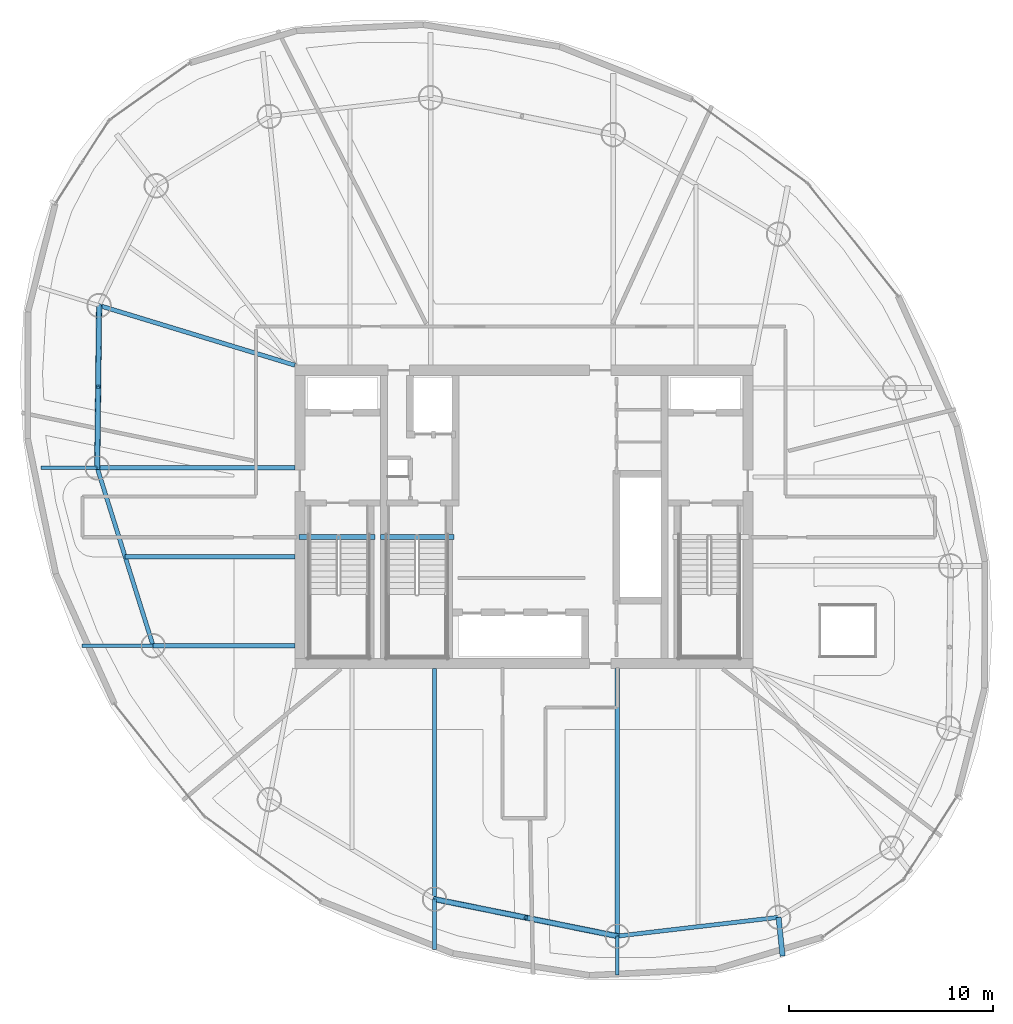
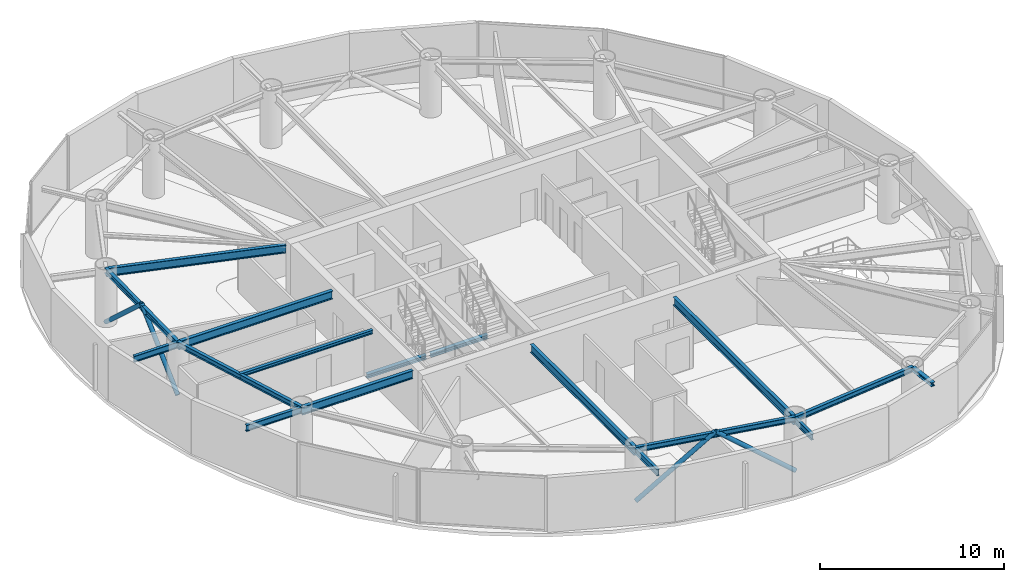
# One storey, part 4 of 18: 17 beams, 4 members.
"""IFC4 building model written with IfcOpenShell, lengths in metres."""

from ifc_helpers import new_model, si_unit, direction, frame, origin, origin_2d, place, context, subcontext, project, spatial, hollow_circle, i_section, extrude, material, material_profile, profile_set, type_object, element, save


model = new_model("IFC4")

# Units and contexts
model_context = context("Model", 3, precision=1e-05, world=origin(), true_north=direction((0.0, 1.0)))
body_context = subcontext(model_context, "Body", "Model", "MODEL_VIEW")
ifc_project = project(units=[si_unit("LENGTHUNIT", "METRE"), si_unit("AREAUNIT", "SQUARE_METRE"), si_unit("VOLUMEUNIT", "CUBIC_METRE"), si_unit("PLANEANGLEUNIT", "RADIAN"), si_unit("MASSUNIT", "GRAM", prefix="KILO")], contexts=[model_context])

# Site, building, storey
site_placement = place(None, origin())
site = spatial("IfcSite", under=ifc_project, at=site_placement, CompositionType="ELEMENT")
building_placement = place(site_placement, origin())
building = spatial("IfcBuilding", under=site, at=building_placement, Name="Bramvorn Convention Spire", CompositionType="ELEMENT")
storey_placement = place(building_placement, frame((0.0, 0.0, 205.85009765625)))
storey = spatial("IfcBuildingStorey", under=building, at=storey_placement, Name="L52", CompositionType="ELEMENT", Elevation=205.85009765625)

# Beams
ifc_material = material(Name="Steel CSA G40.21 Grade 350 (350W)", Category="steel")
ifc_material_profile_1 = material_profile(ifc_material, i_section(OverallWidth=0.201904296875, OverallDepth=0.2470703125, WebThickness=0.00732421875, FlangeThickness=0.010986328125, FilletRadius=0.011962890625, at=origin_2d()))
ifc_profile_set_1 = profile_set([ifc_material_profile_1], Name="Steel CSA G40.21 Grade 350 (350W) - W250X49")
beam_type_1 = type_object("IfcBeamType", Name="BM-W250X49", PredefinedType="JOIST", material=ifc_profile_set_1)
beam_1_placement = place(storey_placement, frame((26.75, 24.039794921875, 3.496337890625), z_axis=(-1.0, 0.0, 0.0), x_axis=(0.0, -1.0, 0.0)))
element("IfcBeam", 1, at=beam_1_placement, inside=storey, type_object=beam_type_1, Name="L52 composite floor joist 11", PredefinedType="JOIST", context=body_context, shape_type="SweptSolid", body=[
    extrude(i_section(OverallWidth=0.201904296875, OverallDepth=0.2470703125, WebThickness=0.00732421875, FlangeThickness=0.010986328125, FilletRadius=0.011962890625, at=origin_2d()), origin(), (0.0, 0.0, 1.0), 8.33251953125),
])
ifc_material_profile_2 = material_profile(ifc_material, i_section(OverallWidth=0.25390625, OverallDepth=0.2529296875, WebThickness=0.008544921875, FlangeThickness=0.01416015625, FilletRadius=0.011962890625, at=origin_2d()))
ifc_profile_set_2 = profile_set([ifc_material_profile_2], Name="Steel CSA G40.21 Grade 350 (350W) - W250X73")
beam_type_2 = type_object("IfcBeamType", Name="BM-W250X73", PredefinedType="BEAM", material=ifc_profile_set_2)
beam_2_placement = place(storey_placement, frame((50.50439453125, 6.336181640625, 3.45849609375), z_axis=(0.102268298362, -0.994756852276, 0.0), x_axis=(0.994756852276, 0.102268298362, 0.0)))
element("IfcBeam", 2, at=beam_2_placement, inside=storey, type_object=beam_type_2, Name="L52 slab-edge cantilever tip beam MC16", PredefinedType="BEAM", context=body_context, shape_type="SweptSolid", body=[
    extrude(i_section(OverallWidth=0.25390625, OverallDepth=0.2529296875, WebThickness=0.008544921875, FlangeThickness=0.01416015625, FilletRadius=0.011962890625, at=origin_2d()), origin(), (0.0, 0.0, 1.0), 1.91455078125),
])
beam_3_placement = place(storey_placement, frame((26.949951171875, 25.010009765625, -0.126708984375), z_axis=(1.0, 0.0, 0.0), x_axis=(0.0, 1.0, 0.0)))
element("IfcBeam", 3, at=beam_3_placement, inside=storey, type_object=beam_type_2, Name="L52 ST1 stair arrival header beam", PredefinedType="BEAM", context=body_context, shape_type="SweptSolid", body=[
    extrude(i_section(OverallWidth=0.25390625, OverallDepth=0.2529296875, WebThickness=0.008544921875, FlangeThickness=0.01416015625, FilletRadius=0.011962890625, at=origin_2d()), origin(), (0.0, 0.0, 1.0), 3.739990234375),
])
beam_4_placement = place(storey_placement, frame((30.949951171875, 25.010009765625, -0.126708984375), z_axis=(1.0, 0.0, 0.0), x_axis=(0.0, 1.0, 0.0)))
element("IfcBeam", 4, at=beam_4_placement, inside=storey, type_object=beam_type_2, Name="L52 ST3 stair arrival header beam", PredefinedType="BEAM", context=body_context, shape_type="SweptSolid", body=[
    extrude(i_section(OverallWidth=0.25390625, OverallDepth=0.2529296875, WebThickness=0.008544921875, FlangeThickness=0.01416015625, FilletRadius=0.011962890625, at=origin_2d()), origin(), (0.0, 0.0, 1.0), 3.610107421875),
])
ifc_material_profile_3 = material_profile(ifc_material, i_section(OverallWidth=0.205078125, OverallDepth=0.35400390625, WebThickness=0.009521484375, FlangeThickness=0.016845703125, FilletRadius=0.014892578125, at=origin_2d()))
ifc_profile_set_3 = profile_set([ifc_material_profile_3], Name="Steel CSA G40.21 Grade 350 (350W) - W360X79")
beam_type_3 = type_object("IfcBeamType", Name="BM-W360X79", PredefinedType="JOIST", material=ifc_profile_set_3)
beam_5_placement = place(storey_placement, frame((17.136962890625, 36.380615234375, 3.44287109375), z_axis=(-0.011480475367, -0.999934097171, 0.0), x_axis=(0.999934097171, -0.011480475367, 0.0)))
element("IfcBeam", 5, at=beam_5_placement, inside=storey, type_object=beam_type_3, Name="L52 mega-column ring beam 10", PredefinedType="JOIST", context=body_context, shape_type="SweptSolid", body=[
    extrude(i_section(OverallWidth=0.205078125, OverallDepth=0.35400390625, WebThickness=0.009521484375, FlangeThickness=0.016845703125, FilletRadius=0.014892578125, at=origin_2d()), origin(), (0.0, 0.0, 1.0), 7.974609375),
])
for number, where, z_axis, x_axis, name in (
    (6, (17.04541015625, 28.406494140625, 3.44287109375), (0.299747542929, -0.954018558786, 0.0), (0.954018558786, 0.299747542929, 0.0), "L52 mega-column ring beam 11"),
    (7, (33.61083984375, 7.227783203125, 3.44287109375), (0.980124701676, -0.198382381187, 0.0), (0.198382381187, 0.980124701676, 0.0), "L52 mega-column ring beam 14"),
):
    element("IfcBeam", number, at=place(storey_placement, frame(where, z_axis=z_axis, x_axis=x_axis)), inside=storey, type_object=beam_type_3, Name=name, PredefinedType="JOIST", context=body_context, shape_type="SweptSolid", body=[
        extrude(i_section(OverallWidth=0.205078125, OverallDepth=0.35400390625, WebThickness=0.009521484375, FlangeThickness=0.016845703125, FilletRadius=0.014892578125, at=origin_2d()), origin(), (0.0, 0.0, 1.0), 9.15478515625),
    ])
beam_6_placement = place(storey_placement, frame((42.583740234375, 5.41162109375, 3.44287109375), z_axis=(0.993256148339, 0.115940604561, 0.0), x_axis=(-0.115940604561, 0.993256148339, 0.0)))
element("IfcBeam", 8, at=beam_6_placement, inside=storey, type_object=beam_type_3, Name="L52 mega-column ring beam 15", PredefinedType="JOIST", context=body_context, shape_type="SweptSolid", body=[
    extrude(i_section(OverallWidth=0.205078125, OverallDepth=0.35400390625, WebThickness=0.009521484375, FlangeThickness=0.016845703125, FilletRadius=0.014892578125, at=origin_2d()), origin(), (0.0, 0.0, 1.0), 7.974365234375),
])
ifc_material_profile_4 = material_profile(ifc_material, i_section(OverallWidth=0.180908203125, OverallDepth=0.4169921875, WebThickness=0.010986328125, FlangeThickness=0.018310546875, FilletRadius=0.01611328125, at=origin_2d()))
ifc_profile_set_4 = profile_set([ifc_material_profile_4], Name="Steel CSA G40.21 Grade 350 (350W) - W410X85")
beam_type_4 = type_object("IfcBeamType", Name="BM-W410X85", PredefinedType="JOIST", material=ifc_profile_set_4)
beam_7_placement = place(storey_placement, frame((17.04541015625, 28.406494140625, 3.37646484375), z_axis=(-1.0, 0.0, 0.0), x_axis=(0.0, -1.0, 0.0)))
element("IfcBeam", 9, at=beam_7_placement, inside=storey, type_object=beam_type_4, Name="L52 Sky-Garden cantilever tip girder MC11", PredefinedType="JOIST", context=body_context, shape_type="SweptSolid", body=[
    extrude(i_section(OverallWidth=0.180908203125, OverallDepth=0.4169921875, WebThickness=0.010986328125, FlangeThickness=0.018310546875, FilletRadius=0.01611328125, at=origin_2d()), origin(), (0.0, 0.0, 1.0), 2.766845703125),
])
beam_8_placement = place(storey_placement, frame((19.78955078125, 19.672607421875, 3.37646484375), z_axis=(-1.0, 0.0, 0.0), x_axis=(0.0, -1.0, 0.0)))
element("IfcBeam", 10, at=beam_8_placement, inside=storey, type_object=beam_type_4, Name="L52 Sky-Garden cantilever tip girder MC12", PredefinedType="JOIST", context=body_context, shape_type="SweptSolid", body=[
    extrude(i_section(OverallWidth=0.180908203125, OverallDepth=0.4169921875, WebThickness=0.010986328125, FlangeThickness=0.018310546875, FilletRadius=0.01611328125, at=origin_2d()), origin(), (0.0, 0.0, 1.0), 3.501708984375),
])
beam_9_placement = place(storey_placement, frame((33.61083984375, 7.227783203125, 3.37646484375), z_axis=(0.0, -1.0, 0.0), x_axis=(1.0, 0.0, 0.0)))
element("IfcBeam", 11, at=beam_9_placement, inside=storey, type_object=beam_type_4, Name="L52 Sky-Garden cantilever tip girder MC14", PredefinedType="JOIST", context=body_context, shape_type="SweptSolid", body=[
    extrude(i_section(OverallWidth=0.180908203125, OverallDepth=0.4169921875, WebThickness=0.010986328125, FlangeThickness=0.018310546875, FilletRadius=0.01611328125, at=origin_2d()), origin(), (0.0, 0.0, 1.0), 2.473876953125),
])
beam_10_placement = place(storey_placement, frame((42.583740234375, 5.41162109375, 3.37646484375), z_axis=(0.0, -1.0, 0.0), x_axis=(1.0, 0.0, 0.0)))
element("IfcBeam", 12, at=beam_10_placement, inside=storey, type_object=beam_type_4, Name="L52 Sky-Garden cantilever tip girder MC15", PredefinedType="JOIST", context=body_context, shape_type="SweptSolid", body=[
    extrude(i_section(OverallWidth=0.180908203125, OverallDepth=0.4169921875, WebThickness=0.010986328125, FlangeThickness=0.018310546875, FilletRadius=0.01611328125, at=origin_2d()), origin(), (0.0, 0.0, 1.0), 1.914794921875),
])
ifc_material_profile_5 = material_profile(ifc_material, i_section(OverallWidth=0.2119140625, OverallDepth=0.5439453125, WebThickness=0.01318359375, FlangeThickness=0.021240234375, FilletRadius=0.01904296875, at=origin_2d()))
ifc_profile_set_5 = profile_set([ifc_material_profile_5], Name="Steel CSA G40.21 Grade 350 (350W) - W530X123")
beam_type_5 = type_object("IfcBeamType", Name="BM-W530X123", PredefinedType="BEAM", material=ifc_profile_set_5)
beam_11_placement = place(storey_placement, frame((26.75, 33.449951171875, 3.31298828125), z_axis=(-0.95653637984, 0.291613021044, 0.0), x_axis=(-0.291613021044, -0.95653637984, 0.0)))
element("IfcBeam", 13, at=beam_11_placement, inside=storey, type_object=beam_type_5, Name="L52 Sky-Garden back-span radial girder MC10", PredefinedType="BEAM", context=body_context, shape_type="SweptSolid", body=[
    extrude(i_section(OverallWidth=0.2119140625, OverallDepth=0.5439453125, WebThickness=0.01318359375, FlangeThickness=0.021240234375, FilletRadius=0.01904296875, at=origin_2d()), origin(), (0.0, 0.0, 1.0), 10.0498046875),
])
beam_12_placement = place(storey_placement, frame((26.75, 28.406494140625, 3.31298828125), z_axis=(-1.0, 0.0, 0.0), x_axis=(0.0, -1.0, 0.0)))
element("IfcBeam", 14, at=beam_12_placement, inside=storey, type_object=beam_type_5, Name="L52 Sky-Garden back-span radial girder MC11", PredefinedType="BEAM", context=body_context, shape_type="SweptSolid", body=[
    extrude(i_section(OverallWidth=0.2119140625, OverallDepth=0.5439453125, WebThickness=0.01318359375, FlangeThickness=0.021240234375, FilletRadius=0.01904296875, at=origin_2d()), origin(), (0.0, 0.0, 1.0), 9.70458984375),
])
beam_13_placement = place(storey_placement, frame((26.75, 19.672607421875, 3.31298828125), z_axis=(-1.0, 0.0, 0.0), x_axis=(0.0, -1.0, 0.0)))
element("IfcBeam", 15, at=beam_13_placement, inside=storey, type_object=beam_type_5, Name="L52 Sky-Garden back-span radial girder MC12", PredefinedType="BEAM", context=body_context, shape_type="SweptSolid", body=[
    extrude(i_section(OverallWidth=0.2119140625, OverallDepth=0.5439453125, WebThickness=0.01318359375, FlangeThickness=0.021240234375, FilletRadius=0.01904296875, at=origin_2d()), origin(), (0.0, 0.0, 1.0), 6.96044921875),
])
beam_14_placement = place(storey_placement, frame((33.61083984375, 18.550048828125, 3.31298828125), z_axis=(0.0, -1.0, 0.0), x_axis=(1.0, 0.0, 0.0)))
element("IfcBeam", 16, at=beam_14_placement, inside=storey, type_object=beam_type_5, Name="L52 Sky-Garden back-span radial girder MC14", PredefinedType="BEAM", context=body_context, shape_type="SweptSolid", body=[
    extrude(i_section(OverallWidth=0.2119140625, OverallDepth=0.5439453125, WebThickness=0.01318359375, FlangeThickness=0.021240234375, FilletRadius=0.01904296875, at=origin_2d()), origin(), (0.0, 0.0, 1.0), 11.322265625),
])
beam_15_placement = place(storey_placement, frame((42.583740234375, 18.550048828125, 3.31298828125), z_axis=(0.0, -1.0, 0.0), x_axis=(1.0, 0.0, 0.0)))
element("IfcBeam", 17, at=beam_15_placement, inside=storey, type_object=beam_type_5, Name="L52 Sky-Garden back-span radial girder MC15", PredefinedType="BEAM", context=body_context, shape_type="SweptSolid", body=[
    extrude(i_section(OverallWidth=0.2119140625, OverallDepth=0.5439453125, WebThickness=0.01318359375, FlangeThickness=0.021240234375, FilletRadius=0.01904296875, at=origin_2d()), origin(), (0.0, 0.0, 1.0), 13.138427734375),
])

# Members
ifc_material_profile_6 = material_profile(ifc_material, hollow_circle(Radius=0.136474609375, WallThickness=0.0126953125, at=origin_2d()))
ifc_profile_set_6 = profile_set([ifc_material_profile_6], Name="Steel CSA G40.21 Grade 350 (350W) - CHS273X13")
member_type = type_object("IfcMemberType", Name="MBR-CHS273X13", PredefinedType="BRACE", material=ifc_profile_set_6)
for number, where, z_axis, x_axis, name in (
    (18, (17.136962890625, 36.380615234375, 0.0), (-0.008522796819, -0.740349972651, 0.672167598096), (0.999933745256, -0.011511085917, 0.0), "L52 perimeter Gothic lancet brace 10A"),
    (19, (17.04541015625, 28.406494140625, 0.0), (0.008477466061, 0.740350257942, 0.672167857112), (-0.99993444815, 0.011449864785, 0.0), "L52 perimeter Gothic lancet brace 10B"),
):
    element("IfcMember", number, at=place(storey_placement, frame(where, z_axis=z_axis, x_axis=x_axis)), inside=storey, type_object=member_type, Name=name, PredefinedType="BRACE", context=body_context, shape_type="SweptSolid", body=[
        extrude(hollow_circle(Radius=0.136474609375, WallThickness=0.0126953125, at=origin_2d()), origin(), (0.0, 0.0, 1.0), 5.38525390625),
    ])
member_1_placement = place(storey_placement, frame((33.61083984375, 7.227783203125, 0.0), z_axis=(0.768794363443, -0.155582861057, 0.620281549043), x_axis=(0.198351578089, 0.98013093588, 0.0)))
element("IfcMember", 20, at=member_1_placement, inside=storey, type_object=member_type, Name="L52 perimeter Gothic lancet brace 14A", PredefinedType="BRACE", context=body_context, shape_type="SweptSolid", body=[
    extrude(hollow_circle(Radius=0.136474609375, WallThickness=0.0126953125, at=origin_2d()), origin(), (0.0, 0.0, 1.0), 5.8359375),
])
member_2_placement = place(storey_placement, frame((42.583740234375, 5.41162109375, 0.0), z_axis=(-0.768772249419, 0.155628687845, 0.620297460935), x_axis=(-0.198413185373, -0.980118466243, 0.0)))
element("IfcMember", 21, at=member_2_placement, inside=storey, type_object=member_type, Name="L52 perimeter Gothic lancet brace 14B", PredefinedType="BRACE", context=body_context, shape_type="SweptSolid", body=[
    extrude(hollow_circle(Radius=0.136474609375, WallThickness=0.0126953125, at=origin_2d()), origin(), (0.0, 0.0, 1.0), 5.835693359375),
])

save(model, "model.ifc")
